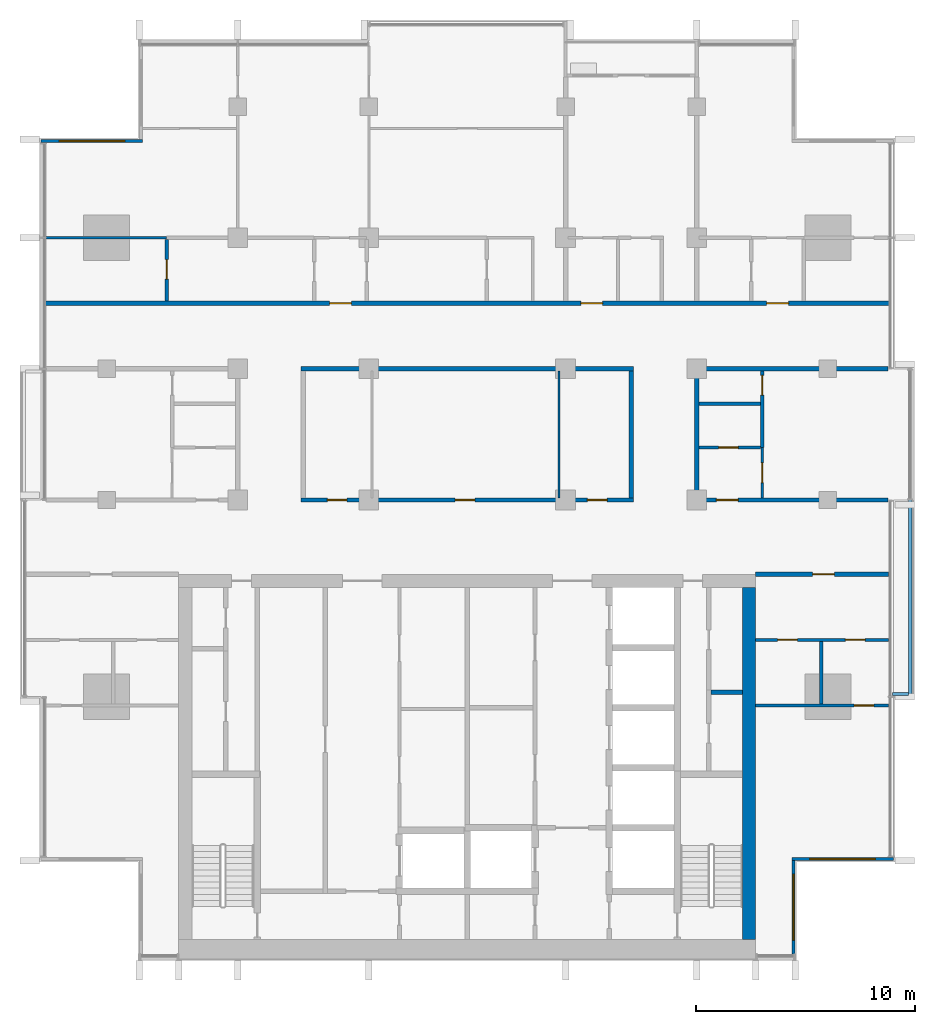
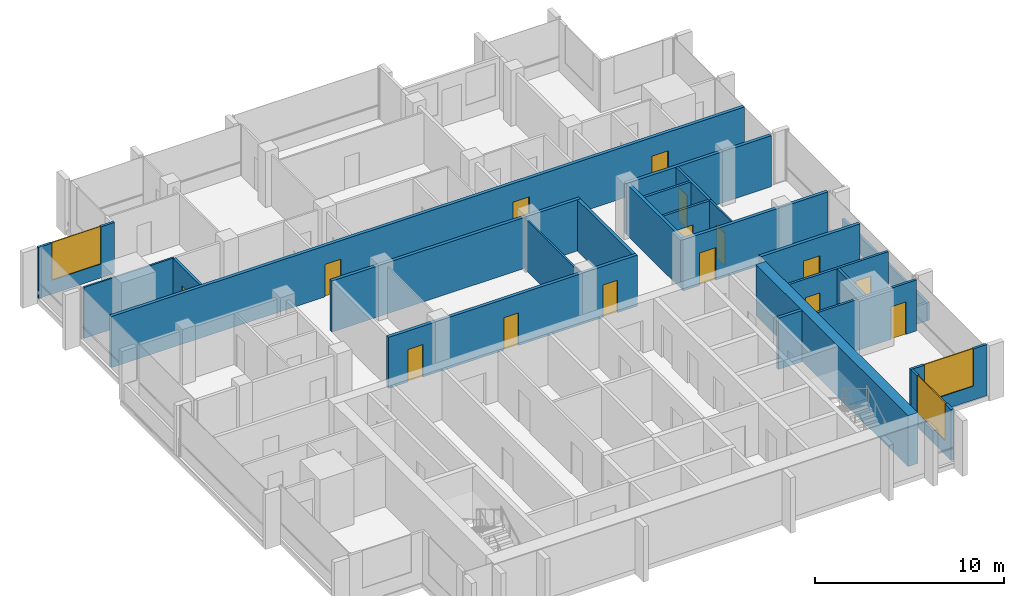
# One storey, part 9 of 16: 25 walls, 15 doors, 3 windows, 18 openings.
"""IFC4 building model written with IfcOpenShell, lengths in metres."""

from ifc_helpers import new_model, si_unit, direction, frame, frame_2d, origin, place, context, subcontext, project, spatial, rectangle, extrude, material, layer, layer_set, type_object, element, fill, save


model = new_model("IFC4")

# Units and contexts
model_context = context("Model", 3, precision=1e-05, world=origin(), true_north=direction((0.0, 1.0)))
body_context = subcontext(model_context, "Body", "Model", "MODEL_VIEW")
ifc_project = project(units=[si_unit("LENGTHUNIT", "METRE"), si_unit("AREAUNIT", "SQUARE_METRE"), si_unit("VOLUMEUNIT", "CUBIC_METRE"), si_unit("PLANEANGLEUNIT", "RADIAN"), si_unit("MASSUNIT", "GRAM", prefix="KILO")], contexts=[model_context])

# Site, building, storey
site_placement = place(None, origin())
site = spatial("IfcSite", under=ifc_project, at=site_placement, CompositionType="ELEMENT")
building_placement = place(site_placement, origin())
building = spatial("IfcBuilding", under=site, at=building_placement, Name="Finial Court Residences", CompositionType="ELEMENT")
storey_placement = place(building_placement, frame((0.0, 0.0, 241.10009765625)))
storey = spatial("IfcBuildingStorey", under=building, at=storey_placement, Name="L61", CompositionType="ELEMENT", Elevation=241.10009765625)

# Wall
ifc_material_1 = material(Name="Concrete C60/75", Category="concrete")
ifc_layer_1 = layer(ifc_material_1, 0.60009765625)
ifc_layer_set_1 = layer_set([ifc_layer_1], Name="Core outer wall 600 Concrete C60/75")
wall_type_1 = type_object("IfcWallType", Name="Core outer wall 600 Concrete C60/75", PredefinedType="SHEAR", material=ifc_layer_set_1)
wall_1_placement = place(storey_placement, frame((12.89990234375, -24.60009765625, 0.0), z_axis=(0.0, 0.0, 1.0), x_axis=(0.0, 1.0, 0.0)))
element("IfcWall", 1, at=wall_1_placement, inside=storey, type_object=wall_type_1, Name="Core outer wall L61-04", PredefinedType="SHEAR", context=body_context, shape_type="SweptSolid", body=[
    extrude(rectangle(XDim=16.10009765625, YDim=0.60009765625, at=frame_2d((8.050048828125, 0.0))), origin(), (0.0, 0.0, 1.0), 3.2998046875),
])

# Wall, opening, door
ifc_material_2 = material(Name="Gypsum board")
ifc_layer_2 = layer(ifc_material_2, 0.02490234375)
ifc_material_3 = material(Name="Acoustic mineral wool in double frame")
ifc_layer_3 = layer(ifc_material_3, 0.14990234375)
ifc_layer_4 = layer(ifc_material_2, 0.02490234375)
ifc_layer_set_2 = layer_set([ifc_layer_2, ifc_layer_3, ifc_layer_4], Name="Corridor wall 200, 1 hour")
wall_type_2 = type_object("IfcWallType", Name="Corridor wall 200, 1 hour", PredefinedType="PARTITIONING", material=ifc_layer_set_2)
wall_2_placement = place(storey_placement, frame((13.199951171875, -7.89990234375, 0.0), z_axis=(0.0, 0.0, 1.0), x_axis=(1.0, 0.0, 0.0)))
wall_2 = element("IfcWall", 2, at=wall_2_placement, inside=storey, type_object=wall_type_2, Name="Partition L61-005", PredefinedType="PARTITIONING", context=body_context, shape_type="SweptSolid", body=[
    extrude(rectangle(XDim=6.0625, YDim=0.199951171875, at=frame_2d((3.03125, 0.0))), origin(), (0.0, 0.0, 1.0), 3.2998046875),
])
opening_1_placement = place(wall_2_placement, frame((2.60009765625, 0.0, 0.0)))
opening_1 = element("IfcOpeningElement", 3, at=opening_1_placement, cuts=wall_2, Name="Opening L61-D008", PredefinedType="OPENING", context=body_context, shape_type="SweptSolid", body=[
    extrude(rectangle(XDim=1.0, YDim=2.10009765625, at=frame_2d((0.5, 1.050048828125))), frame((0.0, 0.10986328125, 0.0), z_axis=(0.0, -1.0, 0.0), x_axis=(1.0, 0.0, 0.0)), (0.0, 0.0, 1.0), 0.219970703125),
])
ifc_material_4 = material(Name="Timber door leaf in hollow metal frame", Category="wood")
door_type_1 = type_object("IfcDoorType", Name="Fire door set 1000 x 2100, 30 minutes", OperationType="SINGLE_SWING_LEFT", PredefinedType="DOOR", material=ifc_material_4)
door_1_placement = place(opening_1_placement, origin())
door_1 = element("IfcDoor", 4, at=door_1_placement, inside=storey, type_object=door_type_1, Name="Door L61-D008", OperationType="SINGLE_SWING_LEFT", OverallHeight=2.10009765625, OverallWidth=1.0, PredefinedType="DOOR", context=body_context, shape_type="SweptSolid", body=[
    extrude(rectangle(XDim=1.0, YDim=2.10009765625, at=frame_2d((0.5, 1.050048828125))), frame((0.0, 0.02490234375, 0.0), z_axis=(0.0, -1.0, 0.0), x_axis=(1.0, 0.0, 0.0)), (0.0, 0.0, 1.0), 0.050048828125),
])
fill(opening_1, door_1)

# Wall, openings, doors
wall_3_placement = place(storey_placement, frame((-7.60009765625, -4.5, 0.0), z_axis=(0.0, 0.0, 1.0), x_axis=(1.0, 0.0, 0.0)))
wall_3 = element("IfcWall", 5, at=wall_3_placement, inside=storey, type_object=wall_type_2, Name="Partition L61-007", PredefinedType="PARTITIONING", context=body_context, shape_type="SweptSolid", body=[
    extrude(rectangle(XDim=15.2001953125, YDim=0.199951171875, at=frame_2d((7.60009765625, 0.0))), origin(), (0.0, 0.0, 1.0), 3.2998046875),
])
opening_2_placement = place(wall_3_placement, frame((1.199951171875, 0.0, 0.0)))
opening_2 = element("IfcOpeningElement", 6, at=opening_2_placement, cuts=wall_3, Name="Opening L61-D010", PredefinedType="OPENING", context=body_context, shape_type="SweptSolid", body=[
    extrude(rectangle(XDim=0.89990234375, YDim=2.10009765625, at=frame_2d((0.449951171875, 1.050048828125))), frame((0.0, 0.10986328125, 0.0), z_axis=(0.0, -1.0, 0.0), x_axis=(1.0, 0.0, 0.0)), (0.0, 0.0, 1.0), 0.219970703125),
])
opening_3_placement = place(wall_3_placement, frame((7.050048828125, 0.0, 0.0)))
opening_3 = element("IfcOpeningElement", 7, at=opening_3_placement, cuts=wall_3, Name="Opening L61-D011", PredefinedType="OPENING", context=body_context, shape_type="SweptSolid", body=[
    extrude(rectangle(XDim=0.89990234375, YDim=2.10009765625, at=frame_2d((0.449951171875, 1.050048828125))), frame((0.0, 0.10986328125, 0.0), z_axis=(0.0, -1.0, 0.0), x_axis=(1.0, 0.0, 0.0)), (0.0, 0.0, 1.0), 0.219970703125),
])
opening_4_placement = place(wall_3_placement, frame((13.10009765625, 0.0, 0.0)))
opening_4 = element("IfcOpeningElement", 8, at=opening_4_placement, cuts=wall_3, Name="Opening L61-D012", PredefinedType="OPENING", context=body_context, shape_type="SweptSolid", body=[
    extrude(rectangle(XDim=0.89990234375, YDim=2.10009765625, at=frame_2d((0.449951171875, 1.050048828125))), frame((0.0, 0.10986328125, 0.0), z_axis=(0.0, -1.0, 0.0), x_axis=(1.0, 0.0, 0.0)), (0.0, 0.0, 1.0), 0.219970703125),
])
door_type_2 = type_object("IfcDoorType", Name="Fire door set 900 x 2100, 30 minutes", OperationType="SINGLE_SWING_LEFT", PredefinedType="DOOR", material=ifc_material_4)
door_2_placement = place(opening_2_placement, origin())
door_2 = element("IfcDoor", 9, at=door_2_placement, inside=storey, type_object=door_type_2, Name="Door L61-D010", OperationType="SINGLE_SWING_RIGHT", OverallHeight=2.10009765625, OverallWidth=0.89990234375, PredefinedType="DOOR", context=body_context, shape_type="SweptSolid", body=[
    extrude(rectangle(XDim=0.89990234375, YDim=2.10009765625, at=frame_2d((0.449951171875, 1.050048828125))), frame((0.0, 0.02490234375, 0.0), z_axis=(0.0, -1.0, 0.0), x_axis=(1.0, 0.0, 0.0)), (0.0, 0.0, 1.0), 0.050048828125),
])
fill(opening_2, door_2)
door_3_placement = place(opening_3_placement, origin())
door_3 = element("IfcDoor", 10, at=door_3_placement, inside=storey, type_object=door_type_2, Name="Door L61-D011", OperationType="SINGLE_SWING_RIGHT", OverallHeight=2.10009765625, OverallWidth=0.89990234375, PredefinedType="DOOR", context=body_context, shape_type="SweptSolid", body=[
    extrude(rectangle(XDim=0.89990234375, YDim=2.10009765625, at=frame_2d((0.449951171875, 1.050048828125))), frame((0.0, 0.02490234375, 0.0), z_axis=(0.0, -1.0, 0.0), x_axis=(1.0, 0.0, 0.0)), (0.0, 0.0, 1.0), 0.050048828125),
])
fill(opening_3, door_3)
door_4_placement = place(opening_4_placement, origin())
door_4 = element("IfcDoor", 11, at=door_4_placement, inside=storey, type_object=door_type_2, Name="Door L61-D012", OperationType="SINGLE_SWING_LEFT", OverallHeight=2.10009765625, OverallWidth=0.89990234375, PredefinedType="DOOR", context=body_context, shape_type="SweptSolid", body=[
    extrude(rectangle(XDim=0.89990234375, YDim=2.10009765625, at=frame_2d((0.449951171875, 1.050048828125))), frame((0.0, 0.02490234375, 0.0), z_axis=(0.0, -1.0, 0.0), x_axis=(1.0, 0.0, 0.0)), (0.0, 0.0, 1.0), 0.050048828125),
])
fill(opening_4, door_4)

# Wall, opening, door
wall_4_placement = place(storey_placement, frame((10.39990234375, -4.5, 0.0), z_axis=(0.0, 0.0, 1.0), x_axis=(1.0, 0.0, 0.0)))
wall_4 = element("IfcWall", 12, at=wall_4_placement, inside=storey, type_object=wall_type_2, Name="Partition L61-008", PredefinedType="PARTITIONING", context=body_context, shape_type="SweptSolid", body=[
    extrude(rectangle(XDim=8.862548828125, YDim=0.199951171875, at=frame_2d((4.43115234375, 0.0))), origin(), (0.0, 0.0, 1.0), 3.2998046875),
])
opening_5_placement = place(wall_4_placement, frame((1.0, 0.0, 0.0)))
opening_5 = element("IfcOpeningElement", 13, at=opening_5_placement, cuts=wall_4, Name="Opening L61-D013", PredefinedType="OPENING", context=body_context, shape_type="SweptSolid", body=[
    extrude(rectangle(XDim=1.0, YDim=2.10009765625, at=frame_2d((0.5, 1.050048828125))), frame((0.0, 0.10986328125, 0.0), z_axis=(0.0, -1.0, 0.0), x_axis=(1.0, 0.0, 0.0)), (0.0, 0.0, 1.0), 0.219970703125),
])
door_5_placement = place(opening_5_placement, origin())
door_5 = element("IfcDoor", 14, at=door_5_placement, inside=storey, type_object=door_type_1, Name="Door L61-D013", OperationType="SINGLE_SWING_RIGHT", OverallHeight=2.10009765625, OverallWidth=1.0, PredefinedType="DOOR", context=body_context, shape_type="SweptSolid", body=[
    extrude(rectangle(XDim=1.0, YDim=2.10009765625, at=frame_2d((0.5, 1.050048828125))), frame((0.0, 0.02490234375, 0.0), z_axis=(0.0, -1.0, 0.0), x_axis=(1.0, 0.0, 0.0)), (0.0, 0.0, 1.0), 0.050048828125),
])
fill(opening_5, door_5)

# Walls
wall_5_placement = place(storey_placement, frame((-7.60009765625, 1.5, 0.0), z_axis=(0.0, 0.0, 1.0), x_axis=(1.0, 0.0, 0.0)))
element("IfcWall", 15, at=wall_5_placement, inside=storey, type_object=wall_type_2, Name="Partition L61-014", PredefinedType="PARTITIONING", context=body_context, shape_type="SweptSolid", body=[
    extrude(rectangle(XDim=15.2001953125, YDim=0.199951171875, at=frame_2d((7.60009765625, 0.0))), origin(), (0.0, 0.0, 1.0), 3.2998046875),
])
wall_6_placement = place(storey_placement, frame((10.39990234375, 1.5, 0.0), z_axis=(0.0, 0.0, 1.0), x_axis=(1.0, 0.0, 0.0)))
element("IfcWall", 16, at=wall_6_placement, inside=storey, type_object=wall_type_2, Name="Partition L61-015", PredefinedType="PARTITIONING", context=body_context, shape_type="SweptSolid", body=[
    extrude(rectangle(XDim=8.862548828125, YDim=0.199951171875, at=frame_2d((4.43115234375, 0.0))), origin(), (0.0, 0.0, 1.0), 3.2998046875),
])

# Wall, openings, doors
wall_7_placement = place(storey_placement, frame((-19.35009765625, 4.5, 0.0), z_axis=(0.0, 0.0, 1.0), x_axis=(1.0, 0.0, 0.0)))
wall_7 = element("IfcWall", 17, at=wall_7_placement, inside=storey, type_object=wall_type_2, Name="Partition L61-016", PredefinedType="PARTITIONING", context=body_context, shape_type="SweptSolid", body=[
    extrude(rectangle(XDim=38.7001953125, YDim=0.199951171875, at=frame_2d((19.35009765625, 0.0))), origin(), (0.0, 0.0, 1.0), 3.2998046875),
])
opening_6_placement = place(wall_7_placement, frame((13.050048828125, 0.0, 0.0)))
opening_6 = element("IfcOpeningElement", 18, at=opening_6_placement, cuts=wall_7, Name="Opening L61-D016", PredefinedType="OPENING", context=body_context, shape_type="SweptSolid", body=[
    extrude(rectangle(XDim=1.0, YDim=2.10009765625, at=frame_2d((0.5, 1.050048828125))), frame((0.0, 0.10986328125, 0.0), z_axis=(0.0, -1.0, 0.0), x_axis=(1.0, 0.0, 0.0)), (0.0, 0.0, 1.0), 0.219970703125),
])
opening_7_placement = place(wall_7_placement, frame((24.550048828125, 0.0, 0.0)))
opening_7 = element("IfcOpeningElement", 19, at=opening_7_placement, cuts=wall_7, Name="Opening L61-D017", PredefinedType="OPENING", context=body_context, shape_type="SweptSolid", body=[
    extrude(rectangle(XDim=1.0, YDim=2.10009765625, at=frame_2d((0.5, 1.050048828125))), frame((0.0, 0.10986328125, 0.0), z_axis=(0.0, -1.0, 0.0), x_axis=(1.0, 0.0, 0.0)), (0.0, 0.0, 1.0), 0.219970703125),
])
opening_8_placement = place(wall_7_placement, frame((33.050048828125, 0.0, 0.0)))
opening_8 = element("IfcOpeningElement", 20, at=opening_8_placement, cuts=wall_7, Name="Opening L61-D018", PredefinedType="OPENING", context=body_context, shape_type="SweptSolid", body=[
    extrude(rectangle(XDim=1.0, YDim=2.10009765625, at=frame_2d((0.5, 1.050048828125))), frame((0.0, 0.10986328125, 0.0), z_axis=(0.0, -1.0, 0.0), x_axis=(1.0, 0.0, 0.0)), (0.0, 0.0, 1.0), 0.219970703125),
])
door_6_placement = place(opening_6_placement, origin())
door_6 = element("IfcDoor", 21, at=door_6_placement, inside=storey, type_object=door_type_1, Name="Door L61-D016", OperationType="SINGLE_SWING_RIGHT", OverallHeight=2.10009765625, OverallWidth=1.0, PredefinedType="DOOR", context=body_context, shape_type="SweptSolid", body=[
    extrude(rectangle(XDim=1.0, YDim=2.10009765625, at=frame_2d((0.5, 1.050048828125))), frame((0.0, 0.02490234375, 0.0), z_axis=(0.0, -1.0, 0.0), x_axis=(1.0, 0.0, 0.0)), (0.0, 0.0, 1.0), 0.050048828125),
])
fill(opening_6, door_6)
door_7_placement = place(opening_7_placement, origin())
door_7 = element("IfcDoor", 22, at=door_7_placement, inside=storey, type_object=door_type_1, Name="Door L61-D017", OperationType="SINGLE_SWING_LEFT", OverallHeight=2.10009765625, OverallWidth=1.0, PredefinedType="DOOR", context=body_context, shape_type="SweptSolid", body=[
    extrude(rectangle(XDim=1.0, YDim=2.10009765625, at=frame_2d((0.5, 1.050048828125))), frame((0.0, 0.02490234375, 0.0), z_axis=(0.0, -1.0, 0.0), x_axis=(1.0, 0.0, 0.0)), (0.0, 0.0, 1.0), 0.050048828125),
])
fill(opening_7, door_7)
door_8_placement = place(opening_8_placement, origin())
door_8 = element("IfcDoor", 23, at=door_8_placement, inside=storey, type_object=door_type_1, Name="Door L61-D018", OperationType="SINGLE_SWING_LEFT", OverallHeight=2.10009765625, OverallWidth=1.0, PredefinedType="DOOR", context=body_context, shape_type="SweptSolid", body=[
    extrude(rectangle(XDim=1.0, YDim=2.10009765625, at=frame_2d((0.5, 1.050048828125))), frame((0.0, 0.02490234375, 0.0), z_axis=(0.0, -1.0, 0.0), x_axis=(1.0, 0.0, 0.0)), (0.0, 0.0, 1.0), 0.050048828125),
])
fill(opening_8, door_8)

# Walls
for number, where, z_axis, x_axis, name in (
    (24, (7.5, -4.39990234375, 0.0), (0.0, 0.0, 1.0), (0.0, 1.0, 0.0), "Partition L61-045"),
    (25, (10.5, -4.39990234375, 0.0), (0.0, 0.0, 1.0), (0.0, 1.0, 0.0), "Partition L61-047"),
):
    element("IfcWall", number, at=place(storey_placement, frame(where, z_axis=z_axis, x_axis=x_axis)), inside=storey, type_object=wall_type_2, Name=name, PredefinedType="PARTITIONING", context=body_context, shape_type="SweptSolid", body=[
        extrude(rectangle(XDim=5.7998046875, YDim=0.199951171875, at=frame_2d((2.89990234375, 0.0))), origin(), (0.0, 0.0, 1.0), 3.2998046875),
    ])
ifc_layer_5 = layer(ifc_material_2, 0.012451171875)
ifc_material_5 = material(Name="Mineral wool in light-gauge frame")
ifc_layer_6 = layer(ifc_material_5, 0.074951171875)
ifc_layer_7 = layer(ifc_material_2, 0.012451171875)
ifc_layer_set_3 = layer_set([ifc_layer_5, ifc_layer_6, ifc_layer_7], Name="Gypsum board partition 100")
wall_type_3 = type_object("IfcWallType", Name="Gypsum board partition 100", PredefinedType="PARTITIONING", material=ifc_layer_set_3)
wall_8_placement = place(storey_placement, frame((-19.262451171875, 7.5, 0.0), z_axis=(0.0, 0.0, 1.0), x_axis=(1.0, 0.0, 0.0)))
element("IfcWall", 26, at=wall_8_placement, inside=storey, type_object=wall_type_3, Name="Partition L61-017", PredefinedType="PARTITIONING", context=body_context, shape_type="SweptSolid", body=[
    extrude(rectangle(XDim=5.512451171875, YDim=0.10009765625, at=frame_2d((2.75634765625, 0.0))), origin(), (0.0, 0.0, 1.0), 3.2998046875),
])
wall_9_placement = place(storey_placement, frame((4.199951171875, -4.39990234375, 0.0), z_axis=(0.0, 0.0, 1.0), x_axis=(0.0, 1.0, 0.0)))
element("IfcWall", 27, at=wall_9_placement, inside=storey, type_object=wall_type_3, Name="Partition L61-042", PredefinedType="PARTITIONING", context=body_context, shape_type="SweptSolid", body=[
    extrude(rectangle(XDim=5.7998046875, YDim=0.10009765625, at=frame_2d((2.89990234375, 0.0))), origin(), (0.0, 0.0, 1.0), 3.2998046875),
])

# Wall, opening, door
wall_10_placement = place(storey_placement, frame((13.5, -4.39990234375, 0.0), z_axis=(0.0, 0.0, 1.0), x_axis=(0.0, 1.0, 0.0)))
wall_10 = element("IfcWall", 28, at=wall_10_placement, inside=storey, type_object=wall_type_3, Name="Partition L61-050", PredefinedType="PARTITIONING", context=body_context, shape_type="SweptSolid", body=[
    extrude(rectangle(XDim=2.2998046875, YDim=0.10009765625, at=frame_2d((1.14990234375, 0.0))), origin(), (0.0, 0.0, 1.0), 3.2998046875),
])
opening_9_placement = place(wall_10_placement, frame((0.699951171875, 0.0, 0.0)))
opening_9 = element("IfcOpeningElement", 29, at=opening_9_placement, cuts=wall_10, Name="Opening L61-D035", PredefinedType="OPENING", context=body_context, shape_type="SweptSolid", body=[
    extrude(rectangle(XDim=0.89990234375, YDim=2.10009765625, at=frame_2d((0.449951171875, 1.050048828125))), frame((0.0, 0.06005859375, 0.0), z_axis=(0.0, -1.0, 0.0), x_axis=(1.0, 0.0, 0.0)), (0.0, 0.0, 1.0), 0.1201171875),
])
ifc_material_6 = material(Name="Timber door leaf in timber frame", Category="wood")
door_type_3 = type_object("IfcDoorType", Name="Door set 900 x 2100", OperationType="SINGLE_SWING_LEFT", PredefinedType="DOOR", material=ifc_material_6)
door_9_placement = place(opening_9_placement, origin())
door_9 = element("IfcDoor", 30, at=door_9_placement, inside=storey, type_object=door_type_3, Name="Door L61-D035", OperationType="SINGLE_SWING_LEFT", OverallHeight=2.10009765625, OverallWidth=0.89990234375, PredefinedType="DOOR", context=body_context, shape_type="SweptSolid", body=[
    extrude(rectangle(XDim=0.89990234375, YDim=2.10009765625, at=frame_2d((0.449951171875, 1.050048828125))), frame((0.0, 0.02490234375, 0.0), z_axis=(0.0, -1.0, 0.0), x_axis=(1.0, 0.0, 0.0)), (0.0, 0.0, 1.0), 0.050048828125),
])
fill(opening_9, door_9)

ifc_material_7 = material(Name="Moisture-resistant gypsum board")
ifc_layer_8 = layer(ifc_material_7, 0.012451171875)
ifc_layer_9 = layer(ifc_material_5, 0.125)
ifc_layer_10 = layer(ifc_material_7, 0.012451171875)
ifc_layer_set_4 = layer_set([ifc_layer_8, ifc_layer_9, ifc_layer_10], Name="Gypsum board wet-area partition 150")
wall_type_4 = type_object("IfcWallType", Name="Gypsum board wet-area partition 150", PredefinedType="PARTITIONING", material=ifc_layer_set_4)
wall_11_placement = place(storey_placement, frame((13.199951171875, -13.89990234375, 0.0), z_axis=(0.0, 0.0, 1.0), x_axis=(1.0, 0.0, 0.0)))
wall_11 = element("IfcWall", 31, at=wall_11_placement, inside=storey, type_object=wall_type_4, Name="Partition L61-001", PredefinedType="PARTITIONING", context=body_context, shape_type="SweptSolid", body=[
    extrude(rectangle(XDim=6.0625, YDim=0.14990234375, at=frame_2d((3.03125, 0.0))), origin(), (0.0, 0.0, 1.0), 3.2998046875),
])
opening_10_placement = place(wall_11_placement, frame((4.5, 0.0, 0.0)))
opening_10 = element("IfcOpeningElement", 32, at=opening_10_placement, cuts=wall_11, Name="Opening L61-D002", PredefinedType="OPENING", context=body_context, shape_type="SweptSolid", body=[
    extrude(rectangle(XDim=0.89990234375, YDim=2.10009765625, at=frame_2d((0.449951171875, 1.050048828125))), frame((0.0, 0.0849609375, 0.0), z_axis=(0.0, -1.0, 0.0), x_axis=(1.0, 0.0, 0.0)), (0.0, 0.0, 1.0), 0.169921875),
])
door_10_placement = place(opening_10_placement, origin())
door_10 = element("IfcDoor", 33, at=door_10_placement, inside=storey, type_object=door_type_3, Name="Door L61-D002", OperationType="SINGLE_SWING_RIGHT", OverallHeight=2.10009765625, OverallWidth=0.89990234375, PredefinedType="DOOR", context=body_context, shape_type="SweptSolid", body=[
    extrude(rectangle(XDim=0.89990234375, YDim=2.10009765625, at=frame_2d((0.449951171875, 1.050048828125))), frame((0.0, 0.02490234375, 0.0), z_axis=(0.0, -1.0, 0.0), x_axis=(1.0, 0.0, 0.0)), (0.0, 0.0, 1.0), 0.050048828125),
])
fill(opening_10, door_10)

# Wall, openings, doors
wall_12_placement = place(storey_placement, frame((13.199951171875, -10.89990234375, 0.0), z_axis=(0.0, 0.0, 1.0), x_axis=(1.0, 0.0, 0.0)))
wall_12 = element("IfcWall", 34, at=wall_12_placement, inside=storey, type_object=wall_type_4, Name="Partition L61-003", PredefinedType="PARTITIONING", context=body_context, shape_type="SweptSolid", body=[
    extrude(rectangle(XDim=6.0625, YDim=0.14990234375, at=frame_2d((3.03125, 0.0))), origin(), (0.0, 0.0, 1.0), 3.2998046875),
])
opening_11_placement = place(wall_12_placement, frame((1.0, 0.0, 0.0)))
opening_11 = element("IfcOpeningElement", 35, at=opening_11_placement, cuts=wall_12, Name="Opening L61-D005", PredefinedType="OPENING", context=body_context, shape_type="SweptSolid", body=[
    extrude(rectangle(XDim=0.89990234375, YDim=2.10009765625, at=frame_2d((0.449951171875, 1.050048828125))), frame((0.0, 0.0849609375, 0.0), z_axis=(0.0, -1.0, 0.0), x_axis=(1.0, 0.0, 0.0)), (0.0, 0.0, 1.0), 0.169921875),
])
opening_12_placement = place(wall_12_placement, frame((4.10009765625, 0.0, 0.0)))
opening_12 = element("IfcOpeningElement", 36, at=opening_12_placement, cuts=wall_12, Name="Opening L61-D006", PredefinedType="OPENING", context=body_context, shape_type="SweptSolid", body=[
    extrude(rectangle(XDim=0.89990234375, YDim=2.10009765625, at=frame_2d((0.449951171875, 1.050048828125))), frame((0.0, 0.0849609375, 0.0), z_axis=(0.0, -1.0, 0.0), x_axis=(1.0, 0.0, 0.0)), (0.0, 0.0, 1.0), 0.169921875),
])
door_11_placement = place(opening_11_placement, origin())
door_11 = element("IfcDoor", 37, at=door_11_placement, inside=storey, type_object=door_type_3, Name="Door L61-D005", OperationType="SINGLE_SWING_LEFT", OverallHeight=2.10009765625, OverallWidth=0.89990234375, PredefinedType="DOOR", context=body_context, shape_type="SweptSolid", body=[
    extrude(rectangle(XDim=0.89990234375, YDim=2.10009765625, at=frame_2d((0.449951171875, 1.050048828125))), frame((0.0, 0.02490234375, 0.0), z_axis=(0.0, -1.0, 0.0), x_axis=(1.0, 0.0, 0.0)), (0.0, 0.0, 1.0), 0.050048828125),
])
fill(opening_11, door_11)
door_12_placement = place(opening_12_placement, origin())
door_12 = element("IfcDoor", 38, at=door_12_placement, inside=storey, type_object=door_type_3, Name="Door L61-D006", OperationType="SINGLE_SWING_RIGHT", OverallHeight=2.10009765625, OverallWidth=0.89990234375, PredefinedType="DOOR", context=body_context, shape_type="SweptSolid", body=[
    extrude(rectangle(XDim=0.89990234375, YDim=2.10009765625, at=frame_2d((0.449951171875, 1.050048828125))), frame((0.0, 0.02490234375, 0.0), z_axis=(0.0, -1.0, 0.0), x_axis=(1.0, 0.0, 0.0)), (0.0, 0.0, 1.0), 0.050048828125),
])
fill(opening_12, door_12)

# Wall, opening, door
wall_13_placement = place(storey_placement, frame((10.60009765625, -2.10009765625, 0.0), z_axis=(0.0, 0.0, 1.0), x_axis=(1.0, 0.0, 0.0)))
wall_13 = element("IfcWall", 39, at=wall_13_placement, inside=storey, type_object=wall_type_4, Name="Partition L61-010", PredefinedType="PARTITIONING", context=body_context, shape_type="SweptSolid", body=[
    extrude(rectangle(XDim=2.824951171875, YDim=0.14990234375, at=frame_2d((1.41259765625, 0.0))), origin(), (0.0, 0.0, 1.0), 3.2998046875),
])
opening_13_placement = place(wall_13_placement, frame((0.89990234375, 0.0, 0.0)))
opening_13 = element("IfcOpeningElement", 40, at=opening_13_placement, cuts=wall_13, Name="Opening L61-D015", PredefinedType="OPENING", context=body_context, shape_type="SweptSolid", body=[
    extrude(rectangle(XDim=0.89990234375, YDim=2.10009765625, at=frame_2d((0.449951171875, 1.050048828125))), frame((0.0, 0.0849609375, 0.0), z_axis=(0.0, -1.0, 0.0), x_axis=(1.0, 0.0, 0.0)), (0.0, 0.0, 1.0), 0.169921875),
])
door_13_placement = place(opening_13_placement, origin())
door_13 = element("IfcDoor", 41, at=door_13_placement, inside=storey, type_object=door_type_3, Name="Door L61-D015", OperationType="SINGLE_SWING_RIGHT", OverallHeight=2.10009765625, OverallWidth=0.89990234375, PredefinedType="DOOR", context=body_context, shape_type="SweptSolid", body=[
    extrude(rectangle(XDim=0.89990234375, YDim=2.10009765625, at=frame_2d((0.449951171875, 1.050048828125))), frame((0.0, 0.02490234375, 0.0), z_axis=(0.0, -1.0, 0.0), x_axis=(1.0, 0.0, 0.0)), (0.0, 0.0, 1.0), 0.050048828125),
])
fill(opening_13, door_13)

# Wall
wall_14_placement = place(storey_placement, frame((10.60009765625, -0.10009765625, 0.0), z_axis=(0.0, 0.0, 1.0), x_axis=(1.0, 0.0, 0.0)))
element("IfcWall", 42, at=wall_14_placement, inside=storey, type_object=wall_type_4, Name="Partition L61-012", PredefinedType="PARTITIONING", context=body_context, shape_type="SweptSolid", body=[
    extrude(rectangle(XDim=2.824951171875, YDim=0.14990234375, at=frame_2d((1.41259765625, 0.0))), origin(), (0.0, 0.0, 1.0), 3.2998046875),
])

# Wall, opening, door
wall_15_placement = place(storey_placement, frame((-13.75, 4.60009765625, 0.0), z_axis=(0.0, 0.0, 1.0), x_axis=(0.0, 1.0, 0.0)))
wall_15 = element("IfcWall", 43, at=wall_15_placement, inside=storey, type_object=wall_type_4, Name="Partition L61-030", PredefinedType="PARTITIONING", context=body_context, shape_type="SweptSolid", body=[
    extrude(rectangle(XDim=2.824951171875, YDim=0.14990234375, at=frame_2d((1.41259765625, 0.0))), origin(), (0.0, 0.0, 1.0), 3.2998046875),
])
opening_14_placement = place(wall_15_placement, frame((1.0, 0.0, 0.0)))
opening_14 = element("IfcOpeningElement", 44, at=opening_14_placement, cuts=wall_15, Name="Opening L61-D026", PredefinedType="OPENING", context=body_context, shape_type="SweptSolid", body=[
    extrude(rectangle(XDim=0.89990234375, YDim=2.10009765625, at=frame_2d((0.449951171875, 1.050048828125))), frame((0.0, 0.0849609375, 0.0), z_axis=(0.0, -1.0, 0.0), x_axis=(1.0, 0.0, 0.0)), (0.0, 0.0, 1.0), 0.169921875),
])
door_14_placement = place(opening_14_placement, origin())
door_14 = element("IfcDoor", 45, at=door_14_placement, inside=storey, type_object=door_type_3, Name="Door L61-D026", OperationType="SINGLE_SWING_RIGHT", OverallHeight=2.10009765625, OverallWidth=0.89990234375, PredefinedType="DOOR", context=body_context, shape_type="SweptSolid", body=[
    extrude(rectangle(XDim=0.89990234375, YDim=2.10009765625, at=frame_2d((0.449951171875, 1.050048828125))), frame((0.0, 0.02490234375, 0.0), z_axis=(0.0, -1.0, 0.0), x_axis=(1.0, 0.0, 0.0)), (0.0, 0.0, 1.0), 0.050048828125),
])
fill(opening_14, door_14)

wall_16_placement = place(storey_placement, frame((13.5, -2.10009765625, 0.0), z_axis=(0.0, 0.0, 1.0), x_axis=(0.0, 1.0, 0.0)))
wall_16 = element("IfcWall", 46, at=wall_16_placement, inside=storey, type_object=wall_type_4, Name="Partition L61-051", PredefinedType="PARTITIONING", context=body_context, shape_type="SweptSolid", body=[
    extrude(rectangle(XDim=3.5, YDim=0.14990234375, at=frame_2d((1.75, 0.0))), origin(), (0.0, 0.0, 1.0), 3.2998046875),
])
opening_15_placement = place(wall_16_placement, frame((2.39990234375, 0.0, 0.0)))
opening_15 = element("IfcOpeningElement", 47, at=opening_15_placement, cuts=wall_16, Name="Opening L61-D036", PredefinedType="OPENING", context=body_context, shape_type="SweptSolid", body=[
    extrude(rectangle(XDim=0.89990234375, YDim=2.10009765625, at=frame_2d((0.449951171875, 1.050048828125))), frame((0.0, 0.0849609375, 0.0), z_axis=(0.0, -1.0, 0.0), x_axis=(1.0, 0.0, 0.0)), (0.0, 0.0, 1.0), 0.169921875),
])
door_15_placement = place(opening_15_placement, origin())
door_15 = element("IfcDoor", 48, at=door_15_placement, inside=storey, type_object=door_type_3, Name="Door L61-D036", OperationType="SINGLE_SWING_LEFT", OverallHeight=2.10009765625, OverallWidth=0.89990234375, PredefinedType="DOOR", context=body_context, shape_type="SweptSolid", body=[
    extrude(rectangle(XDim=0.89990234375, YDim=2.10009765625, at=frame_2d((0.449951171875, 1.050048828125))), frame((0.0, 0.02490234375, 0.0), z_axis=(0.0, -1.0, 0.0), x_axis=(1.0, 0.0, 0.0)), (0.0, 0.0, 1.0), 0.050048828125),
])
fill(opening_15, door_15)

# Walls
wall_17_placement = place(storey_placement, frame((16.199951171875, -13.824951171875, 0.0), z_axis=(0.0, 0.0, 1.0), x_axis=(0.0, 1.0, 0.0)))
element("IfcWall", 49, at=wall_17_placement, inside=storey, type_object=wall_type_4, Name="Partition L61-053", PredefinedType="PARTITIONING", context=body_context, shape_type="SweptSolid", body=[
    extrude(rectangle(XDim=2.849853515625, YDim=0.14990234375, at=frame_2d((1.4248046875, 0.0))), origin(), (0.0, 0.0, 1.0), 3.2998046875),
])
ifc_material_8 = material(Name="Concrete C35/45", Category="concrete")
ifc_layer_11 = layer(ifc_material_8, 0.14990234375)
ifc_layer_set_5 = layer_set([ifc_layer_11], Name="Ledge parapet, Concrete C35/45 150")
wall_type_5 = type_object("IfcWallType", Name="Ledge parapet, Concrete C35/45 150", PredefinedType="PARAPET", material=ifc_layer_set_5)
wall_18_placement = place(storey_placement, frame((20.27490234375, -4.447509765625, 0.0), z_axis=(0.0, 0.0, 1.0), x_axis=(0.0, -1.0, 0.0)))
element("IfcWall", 50, at=wall_18_placement, inside=storey, type_object=wall_type_5, Name="E-L61-LED2-P1", PredefinedType="PARAPET", context=body_context, shape_type="SweptSolid", body=[
    extrude(rectangle(XDim=9.00244140625, YDim=0.14990234375, at=frame_2d((4.501220703125, 0.0))), origin(), (0.0, 0.0, 1.0), 1.14990234375),
])
wall_19_placement = place(storey_placement, frame((20.199951171875, -13.375, 0.0), z_axis=(0.0, 0.0, 1.0), x_axis=(-1.0, 0.0, 0.0)))
element("IfcWall", 51, at=wall_19_placement, inside=storey, type_object=wall_type_5, Name="E-L61-LED2-P2", PredefinedType="PARAPET", context=body_context, shape_type="SweptSolid", body=[
    extrude(rectangle(XDim=0.75244140625, YDim=0.14990234375, at=frame_2d((0.376220703125, 0.0))), origin(), (0.0, 0.0, 1.0), 1.14990234375),
])

# Wall, opening, window
ifc_material_9 = material(Name="Natural limestone", Category="masonry")
ifc_layer_12 = layer(ifc_material_9, 0.14990234375)
ifc_layer_set_6 = layer_set([ifc_layer_12], Name="Limestone clad wall 150")
wall_type_6 = type_object("IfcWallType", Name="Limestone clad wall 150", PredefinedType="SOLIDWALL", material=ifc_layer_set_6)
wall_20_placement = place(storey_placement, frame((14.925048828125, -21.0, 0.0), z_axis=(0.0, 0.0, 1.0), x_axis=(0.0, -1.0, 0.0)))
wall_20 = element("IfcWall", 52, at=wall_20_placement, inside=storey, type_object=wall_type_6, Name="E-L61-NWE14", PredefinedType="SOLIDWALL", context=body_context, shape_type="SweptSolid", body=[
    extrude(rectangle(XDim=4.262451171875, YDim=0.14990234375, at=frame_2d((2.13134765625, 0.0))), origin(), (0.0, 0.0, 1.0), 3.2998046875),
])
opening_16_placement = place(wall_20_placement, frame((0.63134765625, 0.0, 0.89990234375)))
opening_16 = element("IfcOpeningElement", 53, at=opening_16_placement, cuts=wall_20, Name="Opening WE61-03", PredefinedType="OPENING", context=body_context, shape_type="SweptSolid", body=[
    extrude(rectangle(XDim=3.0, YDim=2.39990234375, at=frame_2d((1.5, 1.199951171875))), frame((0.0, 0.0849609375, 0.0), z_axis=(0.0, -1.0, 0.0), x_axis=(1.0, 0.0, 0.0)), (0.0, 0.0, 1.0), 0.169921875),
])
ifc_material_10 = material(Name="Clear low-e glass", Category="glass")
window_type = type_object("IfcWindowType", Name="Corner window 3000 x 2400", PartitioningType="SINGLE_PANEL", PredefinedType="WINDOW", material=ifc_material_10)
window_1_placement = place(opening_16_placement, origin())
window_1 = element("IfcWindow", 54, at=window_1_placement, inside=storey, type_object=window_type, Name="E-L61-NWE14-W1", OverallHeight=2.39990234375, OverallWidth=3.0, PartitioningType="SINGLE_PANEL", PredefinedType="WINDOW", context=body_context, shape_type="SweptSolid", body=[
    extrude(rectangle(XDim=3.0, YDim=2.39990234375, at=frame_2d((1.5, 1.199951171875))), frame((0.0, 0.030029296875, 0.0), z_axis=(0.0, -1.0, 0.0), x_axis=(1.0, 0.0, 0.0)), (0.0, 0.0, 1.0), 0.06005859375),
])
fill(opening_16, window_1)

wall_21_placement = place(storey_placement, frame((19.5, -20.925048828125, 0.0), z_axis=(0.0, 0.0, 1.0), x_axis=(-1.0, 0.0, 0.0)))
wall_21 = element("IfcWall", 55, at=wall_21_placement, inside=storey, type_object=wall_type_6, Name="E-L61-NWS15", PredefinedType="SOLIDWALL", context=body_context, shape_type="SweptSolid", body=[
    extrude(rectangle(XDim=4.64990234375, YDim=0.14990234375, at=frame_2d((2.324951171875, 0.0))), origin(), (0.0, 0.0, 1.0), 3.2998046875),
])
opening_17_placement = place(wall_21_placement, frame((0.824951171875, 0.0, 0.89990234375)))
opening_17 = element("IfcOpeningElement", 56, at=opening_17_placement, cuts=wall_21, Name="Opening WE61-04", PredefinedType="OPENING", context=body_context, shape_type="SweptSolid", body=[
    extrude(rectangle(XDim=3.0, YDim=2.39990234375, at=frame_2d((1.5, 1.199951171875))), frame((0.0, 0.0849609375, 0.0), z_axis=(0.0, -1.0, 0.0), x_axis=(1.0, 0.0, 0.0)), (0.0, 0.0, 1.0), 0.169921875),
])
window_2_placement = place(opening_17_placement, origin())
window_2 = element("IfcWindow", 57, at=window_2_placement, inside=storey, type_object=window_type, Name="E-L61-NWS15-W1", OverallHeight=2.39990234375, OverallWidth=3.0, PartitioningType="SINGLE_PANEL", PredefinedType="WINDOW", context=body_context, shape_type="SweptSolid", body=[
    extrude(rectangle(XDim=3.0, YDim=2.39990234375, at=frame_2d((1.5, 1.199951171875))), frame((0.0, 0.030029296875, 0.0), z_axis=(0.0, -1.0, 0.0), x_axis=(1.0, 0.0, 0.0)), (0.0, 0.0, 1.0), 0.06005859375),
])
fill(opening_17, window_2)

wall_22_placement = place(storey_placement, frame((-19.5, 11.925048828125, 0.0), z_axis=(0.0, 0.0, 1.0), x_axis=(1.0, 0.0, 0.0)))
wall_22 = element("IfcWall", 58, at=wall_22_placement, inside=storey, type_object=wall_type_6, Name="E-L61-NWN17", PredefinedType="SOLIDWALL", context=body_context, shape_type="SweptSolid", body=[
    extrude(rectangle(XDim=4.64990234375, YDim=0.14990234375, at=frame_2d((2.324951171875, 0.0))), origin(), (0.0, 0.0, 1.0), 3.2998046875),
])
opening_18_placement = place(wall_22_placement, frame((0.824951171875, 0.0, 0.89990234375)))
opening_18 = element("IfcOpeningElement", 59, at=opening_18_placement, cuts=wall_22, Name="Opening WE61-06", PredefinedType="OPENING", context=body_context, shape_type="SweptSolid", body=[
    extrude(rectangle(XDim=3.0, YDim=2.39990234375, at=frame_2d((1.5, 1.199951171875))), frame((0.0, 0.0849609375, 0.0), z_axis=(0.0, -1.0, 0.0), x_axis=(1.0, 0.0, 0.0)), (0.0, 0.0, 1.0), 0.169921875),
])
window_3_placement = place(opening_18_placement, origin())
window_3 = element("IfcWindow", 60, at=window_3_placement, inside=storey, type_object=window_type, Name="E-L61-NWN17-W1", OverallHeight=2.39990234375, OverallWidth=3.0, PartitioningType="SINGLE_PANEL", PredefinedType="WINDOW", context=body_context, shape_type="SweptSolid", body=[
    extrude(rectangle(XDim=3.0, YDim=2.39990234375, at=frame_2d((1.5, 1.199951171875))), frame((0.0, 0.030029296875, 0.0), z_axis=(0.0, -1.0, 0.0), x_axis=(1.0, 0.0, 0.0)), (0.0, 0.0, 1.0), 0.06005859375),
])
fill(opening_18, window_3)

# Wall
ifc_material_11 = material(Name="Fire-rated gypsum board partition")
ifc_layer_13 = layer(ifc_material_11, 0.199951171875)
ifc_layer_set_7 = layer_set([ifc_layer_13], Name="Riser room wall 200 EI 120")
wall_type_7 = type_object("IfcWallType", Name="Riser room wall 200 EI 120", PredefinedType="PARTITIONING", material=ifc_layer_set_7)
wall_23_placement = place(storey_placement, frame((11.14990234375, -13.300048828125, 0.0), z_axis=(0.0, 0.0, 1.0), x_axis=(1.0, 0.0, 0.0)))
element("IfcWall", 61, at=wall_23_placement, inside=storey, type_object=wall_type_7, Name="Core partition L61-15", PredefinedType="PARTITIONING", context=body_context, shape_type="SweptSolid", body=[
    extrude(rectangle(XDim=1.4501953125, YDim=0.199951171875, at=frame_2d((0.72509765625, 0.0))), origin(), (0.0, 0.0, 1.0), 3.2998046875),
])

save(model, "model.ifc")
